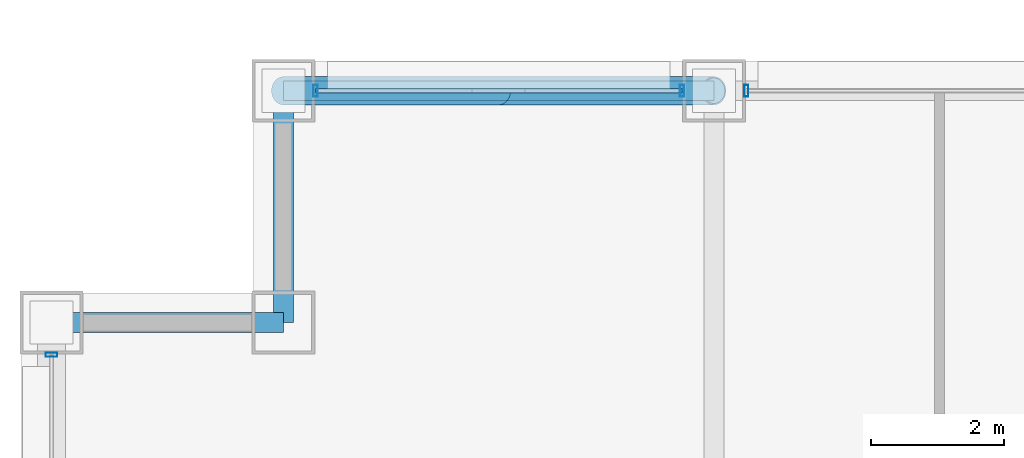
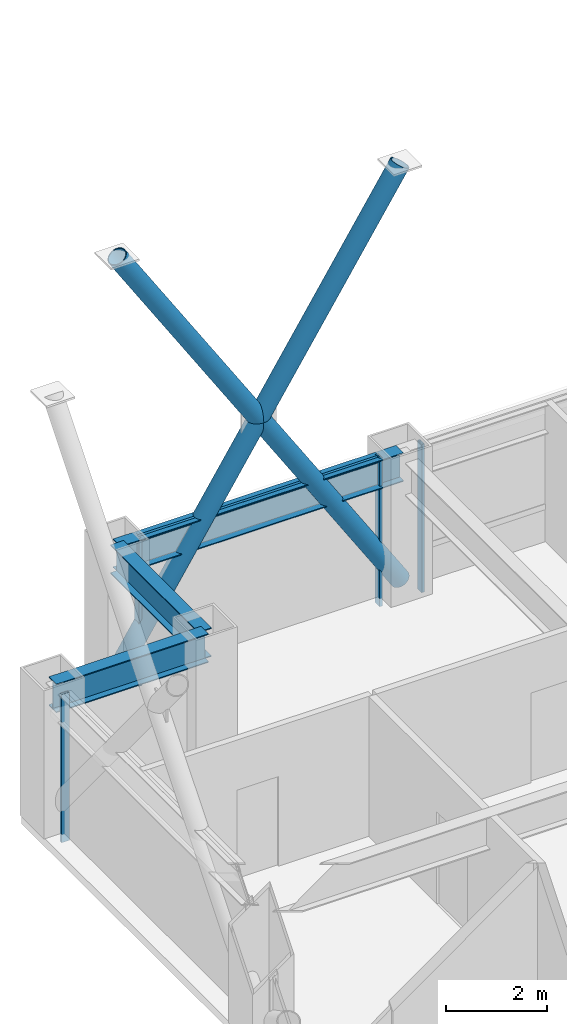
# One storey, part 19 of 34: 8 members, 3 beams, 3 elements without a shape of their own.
"""IFC4 building model written with IfcOpenShell, lengths in metres."""

from ifc_helpers import new_model, si_unit, direction, frame, origin, origin_2d, place, context, subcontext, project, spatial, hollow_rectangle, hollow_circle, i_section, extrude, material, layer, layer_set, material_profile, profile_set, type_object, element, aggregate, save


model = new_model("IFC4")

# Units and contexts
model_context = context("Model", 3, precision=1e-05, world=origin(), true_north=direction((0.0, 1.0)))
body_context = subcontext(model_context, "Body", "Model", "MODEL_VIEW")
ifc_project = project(units=[si_unit("LENGTHUNIT", "METRE"), si_unit("AREAUNIT", "SQUARE_METRE"), si_unit("VOLUMEUNIT", "CUBIC_METRE"), si_unit("PLANEANGLEUNIT", "RADIAN"), si_unit("MASSUNIT", "GRAM", prefix="KILO")], contexts=[model_context])

# Site, building, storey
site_placement = place(None, origin())
site = spatial("IfcSite", under=ifc_project, at=site_placement, CompositionType="ELEMENT")
building_placement = place(site_placement, origin())
building = spatial("IfcBuilding", under=site, at=building_placement, Name="Brelmoor Portico Tower", CompositionType="ELEMENT")
storey_placement = place(building_placement, frame((0.0, 0.0, 45.60009765625)))
storey = spatial("IfcBuildingStorey", under=building, at=storey_placement, Name="L11", CompositionType="ELEMENT", Elevation=45.60009765625)

# Beams
ifc_material_1 = material(Name="Steel Q355B", Category="steel")
ifc_material_profile_1 = material_profile(ifc_material_1, i_section(OverallWidth=0.300048828125, OverallDepth=0.699951171875, WebThickness=0.012939453125, FlangeThickness=0.02392578125, at=origin_2d()), Name="HN 700x300x13x24")
ifc_profile_set_1 = profile_set([ifc_material_profile_1], Name="Steel Q355B")
beam_type = type_object("IfcBeamType", Name="BM-SP-700", PredefinedType="SPANDREL", material=ifc_profile_set_1)
beam_1_placement = place(storey_placement, frame((-24.550048828125, 18.050048828125, 3.0498046875), z_axis=(1.0, 0.0, 0.0), x_axis=(0.0, 1.0, 0.0)))
element("IfcBeam", 1, at=beam_1_placement, inside=storey, type_object=beam_type, Name="L11 Perimeter Spandrel Beam SP-08", PredefinedType="SPANDREL", context=body_context, shape_type="SweptSolid", body=[
    extrude(i_section(OverallWidth=0.300048828125, OverallDepth=0.699951171875, WebThickness=0.012939453125, FlangeThickness=0.02392578125, at=origin_2d()), origin(), (0.0, 0.0, 1.0), 3.5),
])
beam_2_placement = place(storey_placement, frame((-21.050048828125, 21.550048828125, 3.0498046875), z_axis=(1.0, 0.0, 0.0), x_axis=(0.0, 1.0, 0.0)))
element("IfcBeam", 2, at=beam_2_placement, inside=storey, type_object=beam_type, Name="L11 Perimeter Spandrel Beam SP-10", PredefinedType="SPANDREL", context=body_context, shape_type="SweptSolid", body=[
    extrude(i_section(OverallWidth=0.300048828125, OverallDepth=0.699951171875, WebThickness=0.012939453125, FlangeThickness=0.02392578125, at=origin_2d()), origin(), (0.0, 0.0, 1.0), 6.5),
])
beam_3_placement = place(storey_placement, frame((-21.050048828125, 18.050048828125, 3.0498046875), z_axis=(0.0, 1.0, 0.0), x_axis=(-1.0, 0.0, 0.0)))
element("IfcBeam", 3, at=beam_3_placement, inside=storey, type_object=beam_type, Name="L11 Perimeter Spandrel Beam SP-19", PredefinedType="SPANDREL", context=body_context, shape_type="SweptSolid", body=[
    extrude(i_section(OverallWidth=0.300048828125, OverallDepth=0.699951171875, WebThickness=0.012939453125, FlangeThickness=0.02392578125, at=origin_2d()), origin(), (0.0, 0.0, 1.0), 3.5),
])

# Members
ifc_material_profile_2 = material_profile(ifc_material_1, hollow_circle(Radius=0.212890625, WallThickness=0.02001953125, at=origin_2d()), Name="CHS 426x20")
ifc_profile_set_2 = profile_set([ifc_material_profile_2], Name="Steel Q355B")
member_type_1 = type_object("IfcMemberType", Name="MB-BELT-DIAG1", PredefinedType="BRACE", material=ifc_profile_set_2)
member_1_placement = place(storey_placement, frame((-21.050048828125, 21.550048828125, 0.25), z_axis=(0.541183873462, 0.0, 0.840904284152), x_axis=(0.0, 1.0, 0.0)))
element("IfcMember", 4, at=member_1_placement, inside=storey, type_object=member_type_1, Name="L11 Continuous Mega-X Brace 019A", PredefinedType="BRACE", context=body_context, shape_type="SweptSolid", body=[
    extrude(hollow_circle(Radius=0.212890625, WallThickness=0.02001953125, at=origin_2d()), origin(), (0.0, 0.0, 1.0), 12.0107421875),
])
for number, where, z_axis, x_axis, name in (
    (5, (-14.550048828125, 21.550048828125, 0.25), (-0.541193124039, 0.0, 0.840898330651), (0.0, -1.0, 0.0), "L11 Split Mega-X Brace 019B1"),
    (6, (-17.800048828125, 21.550048828125, 5.2998046875), (-0.541174623135, 0.0, 0.840910237347), (0.0, -1.0, 0.0), "L11 Split Mega-X Brace 019B2"),
):
    element("IfcMember", number, at=place(storey_placement, frame(where, z_axis=z_axis, x_axis=x_axis)), inside=storey, type_object=member_type_1, Name=name, PredefinedType="BRACE", context=body_context, shape_type="SweptSolid", body=[
        extrude(hollow_circle(Radius=0.212890625, WallThickness=0.02001953125, at=origin_2d()), origin(), (0.0, 0.0, 1.0), 6.00537109375),
    ])

# Curtain wall, members
ifc_material_2 = material(Name="Anodised Aluminium Alloy 6063-T6", Category="aluminium")
ifc_layer_1 = layer(ifc_material_2, 0.179931640625)
ifc_layer_set_1 = layer_set([ifc_layer_1], Name="Anodised Aluminium Alloy 6063-T6")
curtain_wall_type_1 = type_object("IfcCurtainWallType", Name="CW-TOWER-Z1-XB", PredefinedType="NOTDEFINED", material=ifc_layer_set_1)
curtain_wall_1_placement = place(storey_placement, origin())
curtain_wall_1 = element("IfcCurtainWall", 7, at=curtain_wall_1_placement, inside=storey, type_object=curtain_wall_type_1, Name="L11 Curtain Wall CW-L11-2L-1", PredefinedType="NOTDEFINED")
ifc_material_profile_3 = material_profile(ifc_material_2, hollow_rectangle(XDim=0.06494140625, YDim=0.179931640625, WallThickness=0.00390625, at=origin_2d()), Name="ALU MULLION 65x180")
ifc_profile_set_3 = profile_set([ifc_material_profile_3], Name="Anodised Aluminium Alloy 6063-T6")
member_type_2 = type_object("IfcMemberType", Name="MB-CW-MULL-180", PredefinedType="MULLION", material=ifc_profile_set_3)
member_2_placement = place(storey_placement, frame((-20.56494140625, 21.550048828125, -0.2001953125), z_axis=(0.0, 0.0, 1.0), x_axis=(1.0, 0.0, 0.0)))
member_2 = element("IfcMember", 8, at=member_2_placement, type_object=member_type_2, Name="CW-L11-2L-1 Mullion 00", PredefinedType="MULLION", context=body_context, shape_type="SweptSolid", body=[
    extrude(hollow_rectangle(XDim=0.06494140625, YDim=0.179931640625, WallThickness=0.00390625, at=origin_2d()), origin(), (0.0, 0.0, 1.0), 3.60009765625),
])
member_3_placement = place(storey_placement, frame((-15.034912109375, 21.550048828125, -0.2001953125), z_axis=(0.0, 0.0, 1.0), x_axis=(1.0, 0.0, 0.0)))
member_3 = element("IfcMember", 9, at=member_3_placement, type_object=member_type_2, Name="CW-L11-2L-1 Mullion 01", PredefinedType="MULLION", context=body_context, shape_type="SweptSolid", body=[
    extrude(hollow_rectangle(XDim=0.06494140625, YDim=0.179931640625, WallThickness=0.00390625, at=origin_2d()), origin(), (0.0, 0.0, 1.0), 3.60009765625),
])

# Curtain wall, member
ifc_layer_2 = layer(ifc_material_2, 0.179931640625)
ifc_layer_set_2 = layer_set([ifc_layer_2], Name="Anodised Aluminium Alloy 6063-T6")
curtain_wall_type_2 = type_object("IfcCurtainWallType", Name="CW-TOWER-Z1", PredefinedType="NOTDEFINED", material=ifc_layer_set_2)
curtain_wall_2_placement = place(storey_placement, origin())
curtain_wall_2 = element("IfcCurtainWall", 10, at=curtain_wall_2_placement, inside=storey, type_object=curtain_wall_type_2, Name="L11 Curtain Wall CW-L11-2L-2", PredefinedType="NOTDEFINED")
member_4_placement = place(storey_placement, frame((-14.06494140625, 21.550048828125, -0.2001953125), z_axis=(0.0, 0.0, 1.0), x_axis=(1.0, 0.0, 0.0)))
member_4 = element("IfcMember", 11, at=member_4_placement, type_object=member_type_2, Name="CW-L11-2L-2 Mullion 00", PredefinedType="MULLION", context=body_context, shape_type="SweptSolid", body=[
    extrude(hollow_rectangle(XDim=0.06494140625, YDim=0.179931640625, WallThickness=0.00390625, at=origin_2d()), origin(), (0.0, 0.0, 1.0), 3.60009765625),
])
aggregate(curtain_wall_2, [member_4])

curtain_wall_3_placement = place(storey_placement, origin())
curtain_wall_3 = element("IfcCurtainWall", 12, at=curtain_wall_3_placement, inside=storey, type_object=curtain_wall_type_1, Name="L11 Curtain Wall CW-L11-03-3", PredefinedType="NOTDEFINED")
member_5_placement = place(storey_placement, frame((-24.550048828125, 17.56494140625, -0.2001953125), z_axis=(0.0, 0.0, 1.0), x_axis=(0.0, 1.0, 0.0)))
member_5 = element("IfcMember", 13, at=member_5_placement, type_object=member_type_2, Name="CW-L11-03-3 Mullion 01", PredefinedType="MULLION", context=body_context, shape_type="SweptSolid", body=[
    extrude(hollow_rectangle(XDim=0.06494140625, YDim=0.179931640625, WallThickness=0.00390625, at=origin_2d()), origin(), (0.0, 0.0, 1.0), 3.60009765625),
])
aggregate(curtain_wall_3, [member_5])

# Member
ifc_material_profile_4 = material_profile(ifc_material_2, hollow_rectangle(XDim=0.06494140625, YDim=0.139892578125, WallThickness=0.00390625, at=origin_2d()), Name="ALU TRANSOM 65x140")
ifc_profile_set_4 = profile_set([ifc_material_profile_4], Name="Anodised Aluminium Alloy 6063-T6")
member_type_3 = type_object("IfcMemberType", Name="MB-CW-TRAN-140", PredefinedType="USERDEFINED", material=ifc_profile_set_4)
member_6_placement = place(storey_placement, frame((-20.56494140625, 21.550048828125, 3.329833984375), z_axis=(1.0, 0.0, 0.0), x_axis=(0.0, 1.0, 0.0)))
member_6 = element("IfcMember", 14, at=member_6_placement, type_object=member_type_3, Name="CW-L11-2L-1 Transom 1-00", ObjectType="TRANSOM", PredefinedType="USERDEFINED", context=body_context, shape_type="SweptSolid", body=[
    extrude(hollow_rectangle(XDim=0.06494140625, YDim=0.139892578125, WallThickness=0.00390625, at=origin_2d()), origin(), (0.0, 0.0, 1.0), 5.530029296875),
])

aggregate(curtain_wall_1, [member_2, member_3, member_6])

save(model, "model.ifc")
